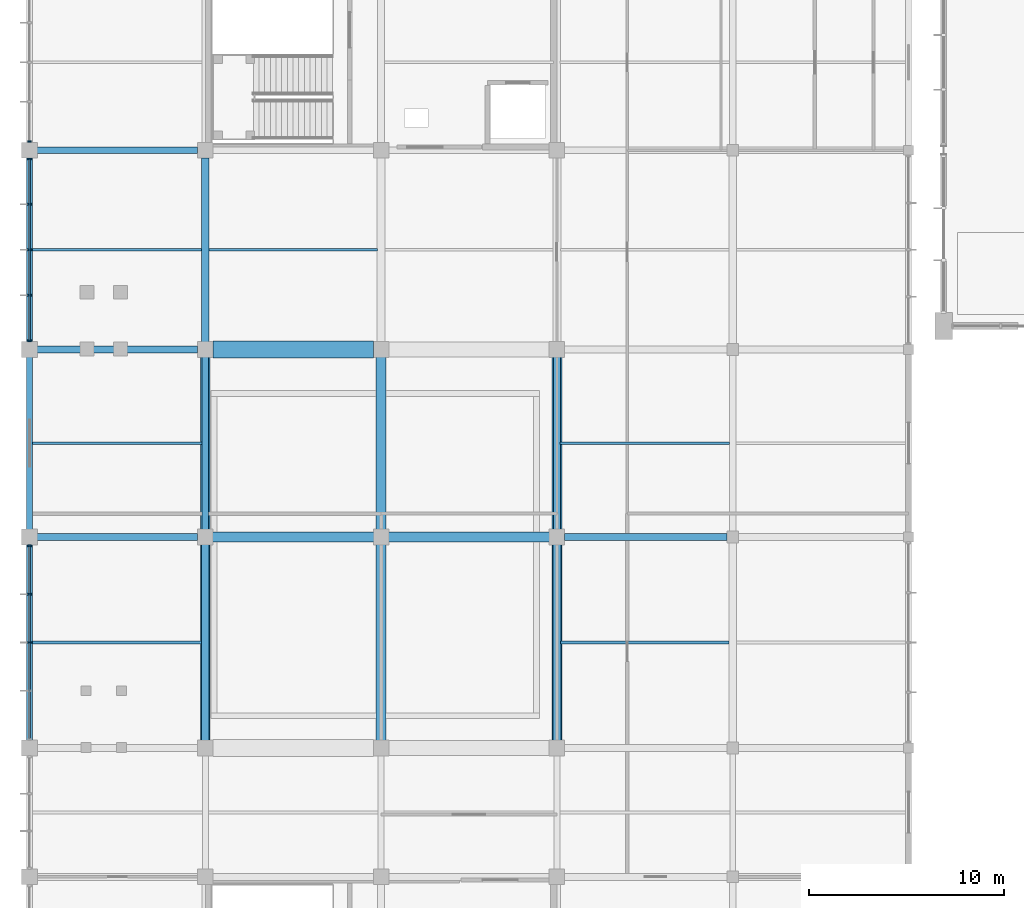
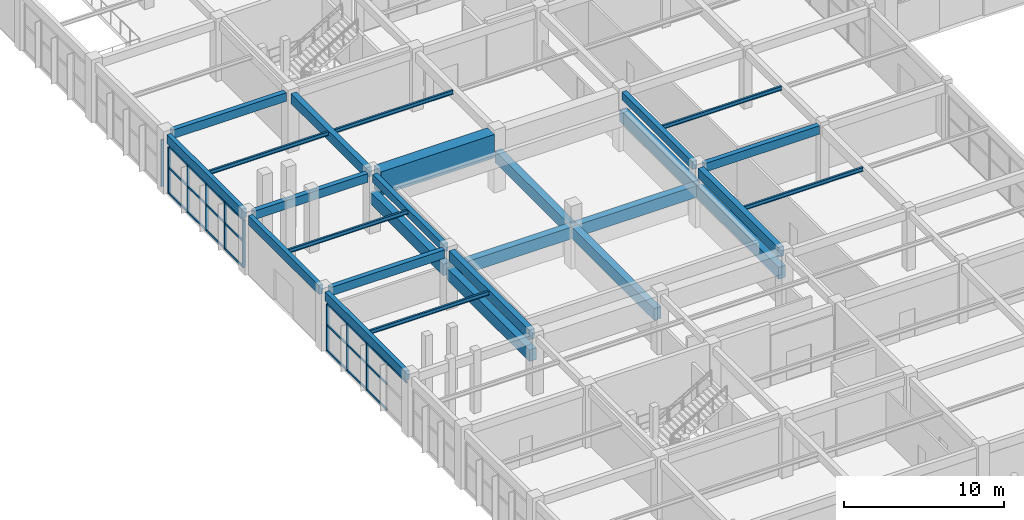
# One storey, part 18 of 82: 27 beams, 25 members, 3 elements without a shape of their own.
"""IFC4 building model written with IfcOpenShell, lengths in metres."""

from ifc_helpers import new_model, si_unit, direction, frame, origin, origin_2d, place, context, subcontext, project, spatial, rectangle, i_section, extrude, material, material_profile, profile_set, type_object, element, aggregate, save


model = new_model("IFC4")

# Units and contexts
model_context = context("Model", 3, precision=1e-05, world=origin(), true_north=direction((0.0, 1.0)))
body_context = subcontext(model_context, "Body", "Model", "MODEL_VIEW")
ifc_project = project(units=[si_unit("LENGTHUNIT", "METRE"), si_unit("AREAUNIT", "SQUARE_METRE"), si_unit("VOLUMEUNIT", "CUBIC_METRE"), si_unit("PLANEANGLEUNIT", "RADIAN"), si_unit("MASSUNIT", "GRAM", prefix="KILO")], contexts=[model_context])

# Site, building, storey
site_placement = place(None, origin())
site = spatial("IfcSite", under=ifc_project, at=site_placement, CompositionType="ELEMENT")
building_placement = place(site_placement, origin())
building = spatial("IfcBuilding", under=site, at=building_placement, Name="Suirenkawa Promenade Aquatics Centre", CompositionType="ELEMENT")
storey_placement = place(building_placement, origin())
storey = spatial("IfcBuildingStorey", under=building, at=storey_placement, Name="L00", CompositionType="ELEMENT", Elevation=0.0)

# Beams
ifc_material_1 = material(Name="Steel IS 2062 E350 (Grade 350)", Category="steel")
ifc_material_profile_1 = material_profile(ifc_material_1, i_section(OverallWidth=0.139892578125, OverallDepth=0.300048828125, WebThickness=0.008056640625, FlangeThickness=0.012939453125, at=origin_2d()), Name="ISMB 300", Category="steel")
ifc_profile_set_1 = profile_set([ifc_material_profile_1], Name="Steel IS 2062 E350 (Grade 350)")
beam_type_1 = type_object("IfcBeamType", Name="BT-JOIST-ISMB300", PredefinedType="JOIST", material=ifc_profile_set_1)
beam_1_placement = place(storey_placement, frame((0.14404296875, 34.199951171875, 4.347900390625), z_axis=(1.0, 0.0, 0.0), x_axis=(0.0, 1.0, 0.0)))
element("IfcBeam", 1, at=beam_1_placement, inside=storey, type_object=beam_type_1, Name="Secondary floor joist JS-02 BM-0335", PredefinedType="JOIST", context=body_context, shape_type="SweptSolid", body=[
    extrude(i_section(OverallWidth=0.139892578125, OverallDepth=0.300048828125, WebThickness=0.008056640625, FlangeThickness=0.012939453125, at=origin_2d()), origin(), (0.0, 0.0, 1.0), 8.661865234375),
])
beam_2_placement = place(storey_placement, frame((0.14404296875, 44.39990234375, 4.347900390625), z_axis=(1.0, 0.0, 0.0), x_axis=(0.0, 1.0, 0.0)))
element("IfcBeam", 2, at=beam_2_placement, inside=storey, type_object=beam_type_1, Name="Secondary floor joist JS-02 BM-0336", PredefinedType="JOIST", context=body_context, shape_type="SweptSolid", body=[
    extrude(i_section(OverallWidth=0.139892578125, OverallDepth=0.300048828125, WebThickness=0.008056640625, FlangeThickness=0.012939453125, at=origin_2d()), origin(), (0.0, 0.0, 1.0), 8.68701171875),
])
beam_3_placement = place(storey_placement, frame((0.14404296875, 54.300048828125, 4.347900390625), z_axis=(1.0, 0.0, 0.0), x_axis=(0.0, 1.0, 0.0)))
element("IfcBeam", 3, at=beam_3_placement, inside=storey, type_object=beam_type_1, Name="Secondary floor joist JS-02 BM-0337", PredefinedType="JOIST", context=body_context, shape_type="SweptSolid", body=[
    extrude(i_section(OverallWidth=0.139892578125, OverallDepth=0.300048828125, WebThickness=0.008056640625, FlangeThickness=0.012939453125, at=origin_2d()), origin(), (0.0, 0.0, 1.0), 8.661865234375),
])
for number, where, z_axis, x_axis, name in (
    (4, (9.194091796875, 54.300048828125, 4.347900390625), (1.0, 0.0, 0.0), (0.0, 1.0, 0.0), "Secondary floor joist JS-02 BM-0346"),
    (5, (27.194091796875, 34.199951171875, 4.347900390625), (1.0, 0.0, 0.0), (0.0, 1.0, 0.0), "Secondary floor joist JS-02 BM-0365"),
):
    element("IfcBeam", number, at=place(storey_placement, frame(where, z_axis=z_axis, x_axis=x_axis)), inside=storey, type_object=beam_type_1, Name=name, PredefinedType="JOIST", context=body_context, shape_type="SweptSolid", body=[
        extrude(i_section(OverallWidth=0.139892578125, OverallDepth=0.300048828125, WebThickness=0.008056640625, FlangeThickness=0.012939453125, at=origin_2d()), origin(), (0.0, 0.0, 1.0), 8.61181640625),
    ])
beam_4_placement = place(storey_placement, frame((27.1689453125, 44.39990234375, 4.347900390625), z_axis=(1.0, 0.0, 0.0), x_axis=(0.0, 1.0, 0.0)))
element("IfcBeam", 6, at=beam_4_placement, inside=storey, type_object=beam_type_1, Name="Secondary floor joist JS-02 BM-0366", PredefinedType="JOIST", context=body_context, shape_type="SweptSolid", body=[
    extrude(i_section(OverallWidth=0.139892578125, OverallDepth=0.300048828125, WebThickness=0.008056640625, FlangeThickness=0.012939453125, at=origin_2d()), origin(), (0.0, 0.0, 1.0), 8.662109375),
])
ifc_material_2 = material(Name="Concrete M35", Category="concrete")
ifc_material_profile_2 = material_profile(ifc_material_2, rectangle(XDim=0.35009765625, YDim=0.60009765625, at=origin_2d()), Name="RC BM 350x600", Category="concrete")
ifc_profile_set_2 = profile_set([ifc_material_profile_2], Name="Concrete M35")
beam_type_2 = type_object("IfcBeamType", Name="BT-RC-350x600", PredefinedType="BEAM", material=ifc_profile_set_2)
for number, where, z_axis, x_axis, name in (
    (7, (9.0, 39.993896484375, 4.199951171875), (0.0, 1.0, 0.0), (-1.0, 0.0, 0.0), "Floor beam BM-02 BM-0278"),
    (8, (27.0, 39.993896484375, 4.199951171875), (0.0, 1.0, 0.0), (-1.0, 0.0, 0.0), "Floor beam BM-02 BM-0300"),
):
    element("IfcBeam", number, at=place(storey_placement, frame(where, z_axis=z_axis, x_axis=x_axis)), inside=storey, type_object=beam_type_2, Name=name, PredefinedType="BEAM", context=body_context, shape_type="SweptSolid", body=[
        extrude(rectangle(XDim=0.35009765625, YDim=0.60009765625, at=origin_2d()), origin(), (0.0, 0.0, 1.0), 8.81201171875),
    ])
ifc_material_profile_3 = material_profile(ifc_material_2, rectangle(XDim=0.35009765625, YDim=0.64990234375, at=origin_2d()), Name="RC BM 350x650", Category="concrete")
ifc_profile_set_3 = profile_set([ifc_material_profile_3], Name="Concrete M35")
beam_type_3 = type_object("IfcBeamType", Name="BT-RC-350x650", PredefinedType="BEAM", material=ifc_profile_set_3)
beam_5_placement = place(storey_placement, frame((0.39404296875, 39.60009765625, 4.175048828125), z_axis=(1.0, 0.0, 0.0), x_axis=(0.0, 1.0, 0.0)))
element("IfcBeam", 9, at=beam_5_placement, inside=storey, type_object=beam_type_3, Name="Floor beam BM-03 BM-0219", PredefinedType="BEAM", context=body_context, shape_type="SweptSolid", body=[
    extrude(rectangle(XDim=0.35009765625, YDim=0.64990234375, at=origin_2d()), origin(), (0.0, 0.0, 1.0), 8.2119140625),
])
beam_6_placement = place(storey_placement, frame((27.39404296875, 39.60009765625, 4.175048828125), z_axis=(1.0, 0.0, 0.0), x_axis=(0.0, 1.0, 0.0)))
element("IfcBeam", 10, at=beam_6_placement, inside=storey, type_object=beam_type_3, Name="Floor beam BM-03 BM-0220", PredefinedType="BEAM", context=body_context, shape_type="SweptSolid", body=[
    extrude(rectangle(XDim=0.35009765625, YDim=0.64990234375, at=origin_2d()), origin(), (0.0, 0.0, 1.0), 8.31201171875),
])
for number, where, z_axis, x_axis, name in (
    (11, (0.39404296875, 49.199951171875, 4.175048828125), (1.0, 0.0, 0.0), (0.0, 1.0, 0.0), "Floor beam BM-03 BM-0222"),
    (12, (0.39404296875, 59.39990234375, 4.175048828125), (1.0, 0.0, 0.0), (0.0, 1.0, 0.0), "Floor beam BM-03 BM-0227"),
):
    element("IfcBeam", number, at=place(storey_placement, frame(where, z_axis=z_axis, x_axis=x_axis)), inside=storey, type_object=beam_type_3, Name=name, PredefinedType="BEAM", context=body_context, shape_type="SweptSolid", body=[
        extrude(rectangle(XDim=0.35009765625, YDim=0.64990234375, at=origin_2d()), origin(), (0.0, 0.0, 1.0), 8.2119140625),
    ])
ifc_material_3 = material(Name="Concrete M40", Category="concrete")
ifc_material_profile_4 = material_profile(ifc_material_3, rectangle(XDim=0.39990234375, YDim=0.75, at=origin_2d()), Name="RC BM 400x750", Category="concrete")
ifc_profile_set_4 = profile_set([ifc_material_profile_4], Name="Concrete M40")
beam_type_4 = type_object("IfcBeamType", Name="BT-RC-400x750", PredefinedType="BEAM", material=ifc_profile_set_4)
beam_7_placement = place(storey_placement, frame((9.0, 29.194091796875, 4.125), z_axis=(0.0, 1.0, 0.0), x_axis=(-1.0, 0.0, 0.0)))
element("IfcBeam", 13, at=beam_7_placement, inside=storey, type_object=beam_type_4, Name="Floor beam BM-05 BM-0277", PredefinedType="BEAM", context=body_context, shape_type="SweptSolid", body=[
    extrude(rectangle(XDim=0.39990234375, YDim=0.75, at=origin_2d()), origin(), (0.0, 0.0, 1.0), 10.011962890625),
])
beam_8_placement = place(storey_placement, frame((9.0, 49.593994140625, 4.125), z_axis=(0.0, 1.0, 0.0), x_axis=(-1.0, 0.0, 0.0)))
element("IfcBeam", 14, at=beam_8_placement, inside=storey, type_object=beam_type_4, Name="Floor beam BM-05 BM-0279", PredefinedType="BEAM", context=body_context, shape_type="SweptSolid", body=[
    extrude(rectangle(XDim=0.39990234375, YDim=0.75, at=origin_2d()), origin(), (0.0, 0.0, 1.0), 9.412109375),
])
beam_9_placement = place(storey_placement, frame((27.0, 29.194091796875, 4.125), z_axis=(0.0, 1.0, 0.0), x_axis=(-1.0, 0.0, 0.0)))
element("IfcBeam", 15, at=beam_9_placement, inside=storey, type_object=beam_type_4, Name="Floor beam BM-05 BM-0299", PredefinedType="BEAM", context=body_context, shape_type="SweptSolid", body=[
    extrude(rectangle(XDim=0.39990234375, YDim=0.75, at=origin_2d()), origin(), (0.0, 0.0, 1.0), 10.011962890625),
])
ifc_material_profile_5 = material_profile(ifc_material_3, rectangle(XDim=0.5, YDim=0.89990234375, at=origin_2d()), Name="RC BM 500x900", Category="concrete")
ifc_profile_set_5 = profile_set([ifc_material_profile_5], Name="Concrete M40")
beam_type_5 = type_object("IfcBeamType", Name="BT-RC-500x900", PredefinedType="BEAM", material=ifc_profile_set_5)
for number, where, z_axis, x_axis, name in (
    (16, (9.25, 39.60009765625, 2.64501953125), (1.0, 0.0, 0.0), (0.0, 1.0, 0.0), "Hydrotherapy basin support girder BM-07 BM-1332"),
    (17, (18.25, 39.60009765625, 2.64501953125), (1.0, 0.0, 0.0), (0.0, 1.0, 0.0), "Hydrotherapy basin support girder BM-07 BM-1333"),
):
    element("IfcBeam", number, at=place(storey_placement, frame(where, z_axis=z_axis, x_axis=x_axis)), inside=storey, type_object=beam_type_5, Name=name, PredefinedType="BEAM", context=body_context, shape_type="SweptSolid", body=[
        extrude(rectangle(XDim=0.5, YDim=0.89990234375, at=origin_2d()), origin(), (0.0, 0.0, 1.0), 8.5),
    ])
beam_10_placement = place(storey_placement, frame((9.0, 29.050048828125, 2.64501953125), z_axis=(0.0, 1.0, 0.0), x_axis=(-1.0, 0.0, 0.0)))
element("IfcBeam", 18, at=beam_10_placement, inside=storey, type_object=beam_type_5, Name="Hydrotherapy basin tie girder BM-07 BM-1334", PredefinedType="BEAM", context=body_context, shape_type="SweptSolid", body=[
    extrude(rectangle(XDim=0.5, YDim=0.89990234375, at=origin_2d()), origin(), (0.0, 0.0, 1.0), 10.300048828125),
])
beam_11_placement = place(storey_placement, frame((9.0, 39.85009765625, 2.64501953125), z_axis=(0.0, 1.0, 0.0), x_axis=(-1.0, 0.0, 0.0)))
element("IfcBeam", 19, at=beam_11_placement, inside=storey, type_object=beam_type_5, Name="Hydrotherapy basin tie girder BM-07 BM-1335", PredefinedType="BEAM", context=body_context, shape_type="SweptSolid", body=[
    extrude(rectangle(XDim=0.5, YDim=0.89990234375, at=origin_2d()), origin(), (0.0, 0.0, 1.0), 9.099853515625),
])
beam_12_placement = place(storey_placement, frame((18.0, 29.050048828125, 2.64501953125), z_axis=(0.0, 1.0, 0.0), x_axis=(-1.0, 0.0, 0.0)))
element("IfcBeam", 20, at=beam_12_placement, inside=storey, type_object=beam_type_5, Name="Hydrotherapy basin tie girder BM-07 BM-1336", PredefinedType="BEAM", context=body_context, shape_type="SweptSolid", body=[
    extrude(rectangle(XDim=0.5, YDim=0.89990234375, at=origin_2d()), origin(), (0.0, 0.0, 1.0), 10.300048828125),
])
beam_13_placement = place(storey_placement, frame((18.0, 39.85009765625, 2.64501953125), z_axis=(0.0, 1.0, 0.0), x_axis=(-1.0, 0.0, 0.0)))
element("IfcBeam", 21, at=beam_13_placement, inside=storey, type_object=beam_type_5, Name="Hydrotherapy basin tie girder BM-07 BM-1337", PredefinedType="BEAM", context=body_context, shape_type="SweptSolid", body=[
    extrude(rectangle(XDim=0.5, YDim=0.89990234375, at=origin_2d()), origin(), (0.0, 0.0, 1.0), 9.099853515625),
])
beam_14_placement = place(storey_placement, frame((27.0, 29.050048828125, 2.64501953125), z_axis=(0.0, 1.0, 0.0), x_axis=(-1.0, 0.0, 0.0)))
element("IfcBeam", 22, at=beam_14_placement, inside=storey, type_object=beam_type_5, Name="Hydrotherapy basin tie girder BM-07 BM-1338", PredefinedType="BEAM", context=body_context, shape_type="SweptSolid", body=[
    extrude(rectangle(XDim=0.5, YDim=0.89990234375, at=origin_2d()), origin(), (0.0, 0.0, 1.0), 10.300048828125),
])
beam_15_placement = place(storey_placement, frame((27.0, 39.85009765625, 2.64501953125), z_axis=(0.0, 1.0, 0.0), x_axis=(-1.0, 0.0, 0.0)))
element("IfcBeam", 23, at=beam_15_placement, inside=storey, type_object=beam_type_5, Name="Hydrotherapy basin tie girder BM-07 BM-1339", PredefinedType="BEAM", context=body_context, shape_type="SweptSolid", body=[
    extrude(rectangle(XDim=0.5, YDim=0.89990234375, at=origin_2d()), origin(), (0.0, 0.0, 1.0), 9.099853515625),
])
ifc_material_profile_6 = material_profile(ifc_material_3, rectangle(XDim=0.300048828125, YDim=0.699951171875, at=origin_2d()), Name="RC SPANDREL 300x700", Category="concrete")
ifc_profile_set_6 = profile_set([ifc_material_profile_6], Name="Concrete M40")
beam_type_6 = type_object("IfcBeamType", Name="BT-SPANDREL-300x700", PredefinedType="SPANDREL", material=ifc_profile_set_6)
beam_16_placement = place(storey_placement, frame((0.0, 29.194091796875, 4.14990234375), z_axis=(0.0, 1.0, 0.0), x_axis=(-1.0, 0.0, 0.0)))
element("IfcBeam", 24, at=beam_16_placement, inside=storey, type_object=beam_type_6, Name="Floor beam SP-01 BM-0265", PredefinedType="SPANDREL", context=body_context, shape_type="SweptSolid", body=[
    extrude(rectangle(XDim=0.300048828125, YDim=0.699951171875, at=origin_2d()), origin(), (0.0, 0.0, 1.0), 10.011962890625),
])
beam_17_placement = place(storey_placement, frame((0.0, 39.993896484375, 4.14990234375), z_axis=(0.0, 1.0, 0.0), x_axis=(-1.0, 0.0, 0.0)))
element("IfcBeam", 25, at=beam_17_placement, inside=storey, type_object=beam_type_6, Name="Floor beam SP-01 BM-0266", PredefinedType="SPANDREL", context=body_context, shape_type="SweptSolid", body=[
    extrude(rectangle(XDim=0.300048828125, YDim=0.699951171875, at=origin_2d()), origin(), (0.0, 0.0, 1.0), 8.81201171875),
])
beam_18_placement = place(storey_placement, frame((0.0, 49.593994140625, 4.14990234375), z_axis=(0.0, 1.0, 0.0), x_axis=(-1.0, 0.0, 0.0)))
element("IfcBeam", 26, at=beam_18_placement, inside=storey, type_object=beam_type_6, Name="Floor beam SP-01 BM-0267", PredefinedType="SPANDREL", context=body_context, shape_type="SweptSolid", body=[
    extrude(rectangle(XDim=0.300048828125, YDim=0.699951171875, at=origin_2d()), origin(), (0.0, 0.0, 1.0), 9.412109375),
])
ifc_material_profile_7 = material_profile(ifc_material_3, rectangle(XDim=0.85009765625, YDim=1.800048828125, at=origin_2d()), Name="RC TRANSFER 850x1800", Category="concrete")
ifc_profile_set_7 = profile_set([ifc_material_profile_7], Name="Concrete M40")
beam_type_7 = type_object("IfcBeamType", Name="BT-TRANSFER-850x1800", PredefinedType="BEAM", material=ifc_profile_set_7)
beam_19_placement = place(storey_placement, frame((9.39404296875, 49.199951171875, 3.60009765625), z_axis=(1.0, 0.0, 0.0), x_axis=(0.0, 1.0, 0.0)))
element("IfcBeam", 27, at=beam_19_placement, inside=storey, type_object=beam_type_7, Name="Floor beam TG-02 BM-0223", PredefinedType="BEAM", context=body_context, shape_type="SweptSolid", body=[
    extrude(rectangle(XDim=0.85009765625, YDim=1.800048828125, at=origin_2d()), origin(), (0.0, 0.0, 1.0), 8.2119140625),
])

# Curtain wall, members
ifc_material_4 = material(Name="Anodised aluminium 6063-T6", Category="aluminium")
curtain_wall_type_1 = type_object("IfcCurtainWallType", Name="CWAT-V5WL00-45", PredefinedType="NOTDEFINED", material=ifc_material_4)
curtain_wall_1_placement = place(storey_placement, origin())
curtain_wall_1 = element("IfcCurtainWall", 28, at=curtain_wall_1_placement, inside=storey, type_object=curtain_wall_type_1, Name="Curtain wall CWA-45 CW-088", PredefinedType="NOTDEFINED")
ifc_material_profile_8 = material_profile(ifc_material_4, rectangle(XDim=0.094970703125, YDim=0.18994140625, at=origin_2d()), Name="ALU MULL 95x190", Category="aluminium")
ifc_profile_set_8 = profile_set([ifc_material_profile_8], Name="Anodised aluminium 6063-T6")
member_type_1 = type_object("IfcMemberType", Name="CWM-190x95", PredefinedType="MULLION", material=ifc_profile_set_8)
member_1_placement = place(storey_placement, frame((0.0, 34.199951171875, 0.0), z_axis=(0.0, 0.0, 1.0), x_axis=(0.0, 1.0, 0.0)))
member_1 = element("IfcMember", 29, at=member_1_placement, type_object=member_type_1, Name="Mullion ML-02 CWM-01732", PredefinedType="MULLION", context=body_context, shape_type="SweptSolid", body=[
    extrude(rectangle(XDim=0.094970703125, YDim=0.18994140625, at=origin_2d()), origin(), (0.0, 0.0, 1.0), 3.570068359375),
])
member_2_placement = place(storey_placement, frame((0.0, 36.675537109375, 0.0), z_axis=(0.0, 0.0, 1.0), x_axis=(0.0, 1.0, 0.0)))
member_2 = element("IfcMember", 30, at=member_2_placement, type_object=member_type_1, Name="Mullion ML-02 CWM-01733", PredefinedType="MULLION", context=body_context, shape_type="SweptSolid", body=[
    extrude(rectangle(XDim=0.094970703125, YDim=0.18994140625, at=origin_2d()), origin(), (0.0, 0.0, 1.0), 3.570068359375),
])
member_3_placement = place(storey_placement, frame((0.0, 39.15087890625, 0.0), z_axis=(0.0, 0.0, 1.0), x_axis=(0.0, 1.0, 0.0)))
member_3 = element("IfcMember", 31, at=member_3_placement, type_object=member_type_1, Name="Mullion ML-02 CWM-01734", PredefinedType="MULLION", context=body_context, shape_type="SweptSolid", body=[
    extrude(rectangle(XDim=0.094970703125, YDim=0.18994140625, at=origin_2d()), origin(), (0.0, 0.0, 1.0), 3.570068359375),
])

curtain_wall_type_2 = type_object("IfcCurtainWallType", Name="CWAT-V5WL00-47", PredefinedType="NOTDEFINED", material=ifc_material_4)
curtain_wall_2_placement = place(storey_placement, origin())
curtain_wall_2 = element("IfcCurtainWall", 32, at=curtain_wall_2_placement, inside=storey, type_object=curtain_wall_type_2, Name="Curtain wall CWA-47 CW-090", PredefinedType="NOTDEFINED")
member_4_placement = place(storey_placement, frame((0.0, 49.64892578125, 0.0), z_axis=(0.0, 0.0, 1.0), x_axis=(0.0, 1.0, 0.0)))
member_4 = element("IfcMember", 33, at=member_4_placement, type_object=member_type_1, Name="Mullion ML-02 CWM-01774", PredefinedType="MULLION", context=body_context, shape_type="SweptSolid", body=[
    extrude(rectangle(XDim=0.094970703125, YDim=0.18994140625, at=origin_2d()), origin(), (0.0, 0.0, 1.0), 3.570068359375),
])
member_5_placement = place(storey_placement, frame((0.0, 51.974609375, 0.0), z_axis=(0.0, 0.0, 1.0), x_axis=(0.0, 1.0, 0.0)))
member_5 = element("IfcMember", 34, at=member_5_placement, type_object=member_type_1, Name="Mullion ML-02 CWM-01775", PredefinedType="MULLION", context=body_context, shape_type="SweptSolid", body=[
    extrude(rectangle(XDim=0.094970703125, YDim=0.18994140625, at=origin_2d()), origin(), (0.0, 0.0, 1.0), 3.570068359375),
])
member_6_placement = place(storey_placement, frame((0.0, 54.300048828125, 0.0), z_axis=(0.0, 0.0, 1.0), x_axis=(0.0, 1.0, 0.0)))
member_6 = element("IfcMember", 35, at=member_6_placement, type_object=member_type_1, Name="Mullion ML-02 CWM-01776", PredefinedType="MULLION", context=body_context, shape_type="SweptSolid", body=[
    extrude(rectangle(XDim=0.094970703125, YDim=0.18994140625, at=origin_2d()), origin(), (0.0, 0.0, 1.0), 3.570068359375),
])
member_7_placement = place(storey_placement, frame((0.0, 56.62548828125, 0.0), z_axis=(0.0, 0.0, 1.0), x_axis=(0.0, 1.0, 0.0)))
member_7 = element("IfcMember", 36, at=member_7_placement, type_object=member_type_1, Name="Mullion ML-02 CWM-01777", PredefinedType="MULLION", context=body_context, shape_type="SweptSolid", body=[
    extrude(rectangle(XDim=0.094970703125, YDim=0.18994140625, at=origin_2d()), origin(), (0.0, 0.0, 1.0), 3.570068359375),
])
member_8_placement = place(storey_placement, frame((0.0, 58.950927734375, 0.0), z_axis=(0.0, 0.0, 1.0), x_axis=(0.0, 1.0, 0.0)))
member_8 = element("IfcMember", 37, at=member_8_placement, type_object=member_type_1, Name="Mullion ML-02 CWM-01778", PredefinedType="MULLION", context=body_context, shape_type="SweptSolid", body=[
    extrude(rectangle(XDim=0.094970703125, YDim=0.18994140625, at=origin_2d()), origin(), (0.0, 0.0, 1.0), 3.570068359375),
])

# Curtain wall, member
curtain_wall_type_3 = type_object("IfcCurtainWallType", Name="CWAT-V5WL00-42", PredefinedType="NOTDEFINED", material=ifc_material_4)
curtain_wall_3_placement = place(storey_placement, origin())
curtain_wall_3 = element("IfcCurtainWall", 38, at=curtain_wall_3_placement, inside=storey, type_object=curtain_wall_type_3, Name="Curtain wall CWA-42 CW-092", PredefinedType="NOTDEFINED")
member_9_placement = place(storey_placement, frame((0.0, 59.84912109375, 0.0), z_axis=(0.0, 0.0, 1.0), x_axis=(0.0, 1.0, 0.0)))
member_9 = element("IfcMember", 39, at=member_9_placement, type_object=member_type_1, Name="Mullion ML-02 CWM-01818", PredefinedType="MULLION", context=body_context, shape_type="SweptSolid", body=[
    extrude(rectangle(XDim=0.094970703125, YDim=0.18994140625, at=origin_2d()), origin(), (0.0, 0.0, 1.0), 3.570068359375),
])
aggregate(curtain_wall_3, [member_9])

# Member
ifc_material_profile_9 = material_profile(ifc_material_4, rectangle(XDim=0.094970703125, YDim=0.14990234375, at=origin_2d()), Name="ALU TRAN 95x150", Category="aluminium")
ifc_profile_set_9 = profile_set([ifc_material_profile_9], Name="Anodised aluminium 6063-T6")
member_type_2 = type_object("IfcMemberType", Name="CWT-150x95", PredefinedType="USERDEFINED", material=ifc_profile_set_9)
member_10_placement = place(storey_placement, frame((0.0, 31.724609375, 0.0), z_axis=(0.0, 1.0, 0.0), x_axis=(-1.0, 0.0, 0.0)))
member_10 = element("IfcMember", 40, at=member_10_placement, type_object=member_type_2, Name="Transom TR-02 CWT-01736", ObjectType="TRANSOM", PredefinedType="USERDEFINED", context=body_context, shape_type="SweptSolid", body=[
    extrude(rectangle(XDim=0.094970703125, YDim=0.14990234375, at=origin_2d()), origin(), (0.0, 0.0, 1.0), 2.475341796875),
])

member_11_placement = place(storey_placement, frame((0.0, 34.199951171875, 0.0), z_axis=(0.0, 1.0, 0.0), x_axis=(-1.0, 0.0, 0.0)))
member_11 = element("IfcMember", 41, at=member_11_placement, type_object=member_type_2, Name="Transom TR-02 CWT-01737", ObjectType="TRANSOM", PredefinedType="USERDEFINED", context=body_context, shape_type="SweptSolid", body=[
    extrude(rectangle(XDim=0.094970703125, YDim=0.14990234375, at=origin_2d()), origin(), (0.0, 0.0, 1.0), 2.4755859375),
])

member_12_placement = place(storey_placement, frame((0.0, 36.675537109375, 0.0), z_axis=(0.0, 1.0, 0.0), x_axis=(-1.0, 0.0, 0.0)))
member_12 = element("IfcMember", 42, at=member_12_placement, type_object=member_type_2, Name="Transom TR-02 CWT-01738", ObjectType="TRANSOM", PredefinedType="USERDEFINED", context=body_context, shape_type="SweptSolid", body=[
    extrude(rectangle(XDim=0.094970703125, YDim=0.14990234375, at=origin_2d()), origin(), (0.0, 0.0, 1.0), 2.475341796875),
])

member_13_placement = place(storey_placement, frame((0.0, 31.724609375, 1.949951171875), z_axis=(0.0, 1.0, 0.0), x_axis=(-1.0, 0.0, 0.0)))
member_13 = element("IfcMember", 43, at=member_13_placement, type_object=member_type_2, Name="Transom TR-02 CWT-01740", ObjectType="TRANSOM", PredefinedType="USERDEFINED", context=body_context, shape_type="SweptSolid", body=[
    extrude(rectangle(XDim=0.094970703125, YDim=0.14990234375, at=origin_2d()), origin(), (0.0, 0.0, 1.0), 2.475341796875),
])

member_14_placement = place(storey_placement, frame((0.0, 34.199951171875, 1.949951171875), z_axis=(0.0, 1.0, 0.0), x_axis=(-1.0, 0.0, 0.0)))
member_14 = element("IfcMember", 44, at=member_14_placement, type_object=member_type_2, Name="Transom TR-02 CWT-01741", ObjectType="TRANSOM", PredefinedType="USERDEFINED", context=body_context, shape_type="SweptSolid", body=[
    extrude(rectangle(XDim=0.094970703125, YDim=0.14990234375, at=origin_2d()), origin(), (0.0, 0.0, 1.0), 2.4755859375),
])

member_15_placement = place(storey_placement, frame((0.0, 36.675537109375, 1.949951171875), z_axis=(0.0, 1.0, 0.0), x_axis=(-1.0, 0.0, 0.0)))
member_15 = element("IfcMember", 45, at=member_15_placement, type_object=member_type_2, Name="Transom TR-02 CWT-01742", ObjectType="TRANSOM", PredefinedType="USERDEFINED", context=body_context, shape_type="SweptSolid", body=[
    extrude(rectangle(XDim=0.094970703125, YDim=0.14990234375, at=origin_2d()), origin(), (0.0, 0.0, 1.0), 2.475341796875),
])

member_16_placement = place(storey_placement, frame((0.0, 29.2490234375, 3.570068359375), z_axis=(0.0, 1.0, 0.0), x_axis=(-1.0, 0.0, 0.0)))
member_16 = element("IfcMember", 46, at=member_16_placement, type_object=member_type_2, Name="Roofline transom TR-02 CWT-01743", ObjectType="TRANSOM", PredefinedType="USERDEFINED", context=body_context, shape_type="SweptSolid", body=[
    extrude(rectangle(XDim=0.094970703125, YDim=0.14990234375, at=origin_2d()), origin(), (0.0, 0.0, 1.0), 9.90185546875),
])

aggregate(curtain_wall_1, [member_1, member_2, member_3, member_10, member_11, member_12, member_13, member_14, member_15, member_16])

member_17_placement = place(storey_placement, frame((0.0, 49.64892578125, 0.0), z_axis=(0.0, 1.0, 0.0), x_axis=(-1.0, 0.0, 0.0)))
member_17 = element("IfcMember", 47, at=member_17_placement, type_object=member_type_2, Name="Transom TR-02 CWT-01779", ObjectType="TRANSOM", PredefinedType="USERDEFINED", context=body_context, shape_type="SweptSolid", body=[
    extrude(rectangle(XDim=0.094970703125, YDim=0.14990234375, at=origin_2d()), origin(), (0.0, 0.0, 1.0), 2.32568359375),
])

member_18_placement = place(storey_placement, frame((0.0, 51.974609375, 0.0), z_axis=(0.0, 1.0, 0.0), x_axis=(-1.0, 0.0, 0.0)))
member_18 = element("IfcMember", 48, at=member_18_placement, type_object=member_type_2, Name="Transom TR-02 CWT-01780", ObjectType="TRANSOM", PredefinedType="USERDEFINED", context=body_context, shape_type="SweptSolid", body=[
    extrude(rectangle(XDim=0.094970703125, YDim=0.14990234375, at=origin_2d()), origin(), (0.0, 0.0, 1.0), 2.325439453125),
])

member_19_placement = place(storey_placement, frame((0.0, 54.300048828125, 0.0), z_axis=(0.0, 1.0, 0.0), x_axis=(-1.0, 0.0, 0.0)))
member_19 = element("IfcMember", 49, at=member_19_placement, type_object=member_type_2, Name="Transom TR-02 CWT-01781", ObjectType="TRANSOM", PredefinedType="USERDEFINED", context=body_context, shape_type="SweptSolid", body=[
    extrude(rectangle(XDim=0.094970703125, YDim=0.14990234375, at=origin_2d()), origin(), (0.0, 0.0, 1.0), 2.325439453125),
])

member_20_placement = place(storey_placement, frame((0.0, 56.62548828125, 0.0), z_axis=(0.0, 1.0, 0.0), x_axis=(-1.0, 0.0, 0.0)))
member_20 = element("IfcMember", 50, at=member_20_placement, type_object=member_type_2, Name="Transom TR-02 CWT-01782", ObjectType="TRANSOM", PredefinedType="USERDEFINED", context=body_context, shape_type="SweptSolid", body=[
    extrude(rectangle(XDim=0.094970703125, YDim=0.14990234375, at=origin_2d()), origin(), (0.0, 0.0, 1.0), 2.325439453125),
])

member_21_placement = place(storey_placement, frame((0.0, 49.64892578125, 1.949951171875), z_axis=(0.0, 1.0, 0.0), x_axis=(-1.0, 0.0, 0.0)))
member_21 = element("IfcMember", 51, at=member_21_placement, type_object=member_type_2, Name="Transom TR-02 CWT-01783", ObjectType="TRANSOM", PredefinedType="USERDEFINED", context=body_context, shape_type="SweptSolid", body=[
    extrude(rectangle(XDim=0.094970703125, YDim=0.14990234375, at=origin_2d()), origin(), (0.0, 0.0, 1.0), 2.32568359375),
])

member_22_placement = place(storey_placement, frame((0.0, 51.974609375, 1.949951171875), z_axis=(0.0, 1.0, 0.0), x_axis=(-1.0, 0.0, 0.0)))
member_22 = element("IfcMember", 52, at=member_22_placement, type_object=member_type_2, Name="Transom TR-02 CWT-01784", ObjectType="TRANSOM", PredefinedType="USERDEFINED", context=body_context, shape_type="SweptSolid", body=[
    extrude(rectangle(XDim=0.094970703125, YDim=0.14990234375, at=origin_2d()), origin(), (0.0, 0.0, 1.0), 2.325439453125),
])

member_23_placement = place(storey_placement, frame((0.0, 54.300048828125, 1.949951171875), z_axis=(0.0, 1.0, 0.0), x_axis=(-1.0, 0.0, 0.0)))
member_23 = element("IfcMember", 53, at=member_23_placement, type_object=member_type_2, Name="Transom TR-02 CWT-01785", ObjectType="TRANSOM", PredefinedType="USERDEFINED", context=body_context, shape_type="SweptSolid", body=[
    extrude(rectangle(XDim=0.094970703125, YDim=0.14990234375, at=origin_2d()), origin(), (0.0, 0.0, 1.0), 2.325439453125),
])

member_24_placement = place(storey_placement, frame((0.0, 56.62548828125, 1.949951171875), z_axis=(0.0, 1.0, 0.0), x_axis=(-1.0, 0.0, 0.0)))
member_24 = element("IfcMember", 54, at=member_24_placement, type_object=member_type_2, Name="Transom TR-02 CWT-01786", ObjectType="TRANSOM", PredefinedType="USERDEFINED", context=body_context, shape_type="SweptSolid", body=[
    extrude(rectangle(XDim=0.094970703125, YDim=0.14990234375, at=origin_2d()), origin(), (0.0, 0.0, 1.0), 2.325439453125),
])

member_25_placement = place(storey_placement, frame((0.0, 49.64892578125, 3.570068359375), z_axis=(0.0, 1.0, 0.0), x_axis=(-1.0, 0.0, 0.0)))
member_25 = element("IfcMember", 55, at=member_25_placement, type_object=member_type_2, Name="Roofline transom TR-02 CWT-01787", ObjectType="TRANSOM", PredefinedType="USERDEFINED", context=body_context, shape_type="SweptSolid", body=[
    extrude(rectangle(XDim=0.094970703125, YDim=0.14990234375, at=origin_2d()), origin(), (0.0, 0.0, 1.0), 9.302001953125),
])

aggregate(curtain_wall_2, [member_4, member_5, member_6, member_7, member_8, member_17, member_18, member_19, member_20, member_21, member_22, member_23, member_24, member_25])

save(model, "model.ifc")
